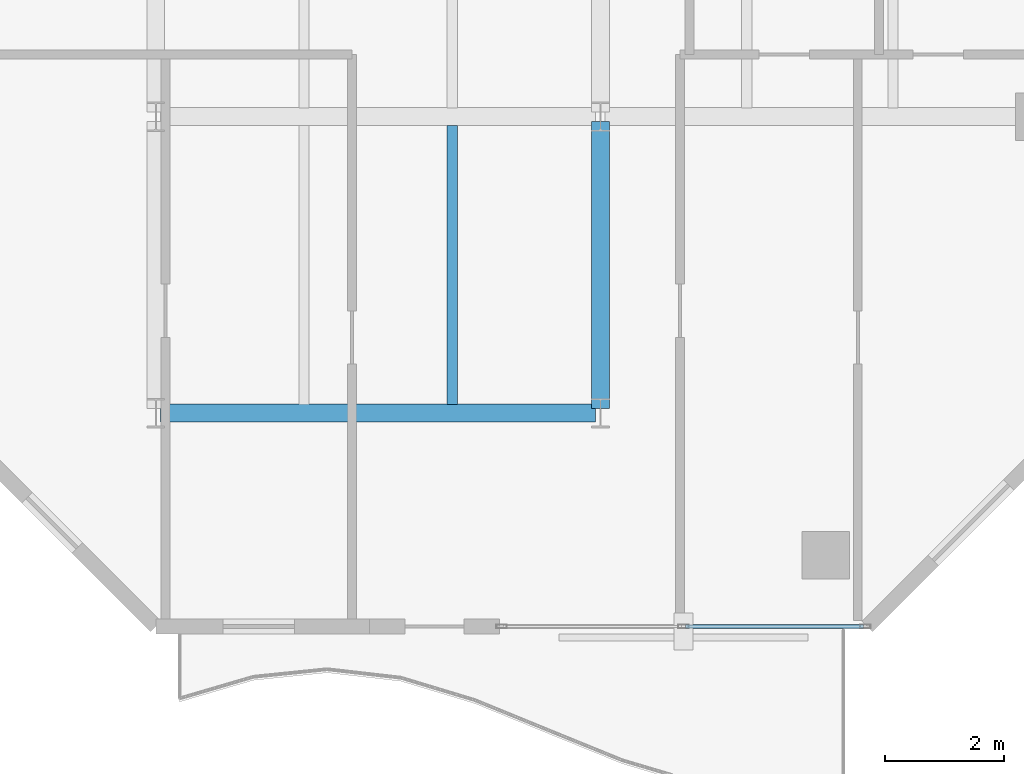
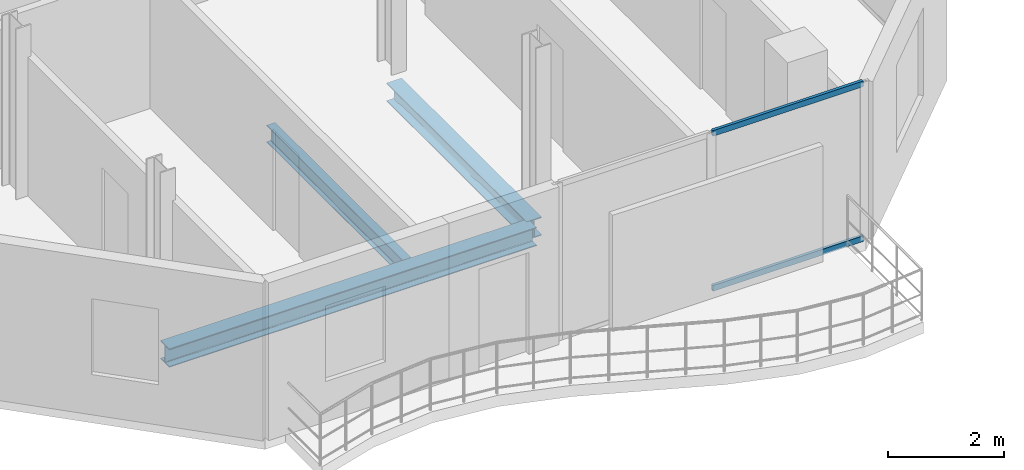
# One storey, part 4 of 23: 3 beams, 2 members, 1 element without a shape of its own.
"""IFC4 building model written with IfcOpenShell, lengths in metres."""

from ifc_helpers import new_model, si_unit, direction, frame, origin, origin_2d, place, context, subcontext, project, spatial, hollow_rectangle, i_section, extrude, material, layer, layer_set, material_profile, profile_set, type_object, element, aggregate, save


model = new_model("IFC4")

# Units and contexts
model_context = context("Model", 3, precision=1e-05, world=origin(), true_north=direction((0.0, 1.0)))
body_context = subcontext(model_context, "Body", "Model", "MODEL_VIEW")
ifc_project = project(units=[si_unit("LENGTHUNIT", "METRE"), si_unit("AREAUNIT", "SQUARE_METRE"), si_unit("VOLUMEUNIT", "CUBIC_METRE"), si_unit("PLANEANGLEUNIT", "RADIAN"), si_unit("MASSUNIT", "GRAM", prefix="KILO")], contexts=[model_context])

# Site, building, storey
site_placement = place(None, origin())
site = spatial("IfcSite", under=ifc_project, at=site_placement, CompositionType="ELEMENT")
building_placement = place(site_placement, origin())
building = spatial("IfcBuilding", under=site, at=building_placement, Name="Catumbela Crestline Tower", CompositionType="ELEMENT")
storey_placement = place(building_placement, frame((0.0, 0.0, 165.0)))
storey = spatial("IfcBuildingStorey", under=building, at=storey_placement, Name="L42", CompositionType="ELEMENT", Elevation=165.0)

# Beams
ifc_material_1 = material(Name="Structural steel S355J2", Category="steel")
ifc_material_profile_1 = material_profile(ifc_material_1, i_section(OverallWidth=0.3, OverallDepth=0.39, WebThickness=0.011, FlangeThickness=0.019, FilletRadius=0.027, at=origin_2d()), Name="HEA 400")
ifc_profile_set_1 = profile_set([ifc_material_profile_1], Name="Structural steel S355J2")
beam_type_1 = type_object("IfcBeamType", Name="BG-HEA400", PredefinedType="BEAM", material=ifc_profile_set_1)
beam_1_placement = place(storey_placement, frame((8.58, 8.6, -0.455), z_axis=(1.0, 0.0, 0.0), x_axis=(0.0, 1.0, 0.0)))
element("IfcBeam", 1, at=beam_1_placement, inside=storey, type_object=beam_type_1, Name="L42 Beam BM-L42-WEW32", PredefinedType="BEAM", context=body_context, shape_type="SweptSolid", body=[
    extrude(i_section(OverallWidth=0.3, OverallDepth=0.39, WebThickness=0.011, FlangeThickness=0.019, FilletRadius=0.027, at=origin_2d()), origin(), (0.0, 0.0, 1.0), 7.34),
])
beam_2_placement = place(storey_placement, frame((16.0, 8.68, -0.455), z_axis=(0.0, 1.0, 0.0), x_axis=(-1.0, 0.0, 0.0)))
element("IfcBeam", 2, at=beam_2_placement, inside=storey, type_object=beam_type_1, Name="L42 Beam BM-L42-WNS40", PredefinedType="BEAM", context=body_context, shape_type="SweptSolid", body=[
    extrude(i_section(OverallWidth=0.3, OverallDepth=0.39, WebThickness=0.011, FlangeThickness=0.019, FilletRadius=0.027, at=origin_2d()), origin(), (0.0, 0.0, 1.0), 4.84),
])
ifc_material_profile_2 = material_profile(ifc_material_1, i_section(OverallWidth=0.17, OverallDepth=0.36, WebThickness=0.008, FlangeThickness=0.0127, FilletRadius=0.018, at=origin_2d()), Name="IPE 360")
ifc_profile_set_2 = profile_set([ifc_material_profile_2], Name="Structural steel S355J2")
beam_type_2 = type_object("IfcBeamType", Name="BJ-IPE360", PredefinedType="JOIST", material=ifc_profile_set_2)
beam_3_placement = place(storey_placement, frame((13.5, 8.747, -0.44), z_axis=(0.0, 1.0, 0.0), x_axis=(-1.0, 0.0, 0.0)))
element("IfcBeam", 3, at=beam_3_placement, inside=storey, type_object=beam_type_2, Name="L42 Joist JS-L42-WG45", PredefinedType="JOIST", context=body_context, shape_type="SweptSolid", body=[
    extrude(i_section(OverallWidth=0.17, OverallDepth=0.36, WebThickness=0.008, FlangeThickness=0.0127, FilletRadius=0.018, at=origin_2d()), origin(), (0.0, 0.0, 1.0), 4.706),
])

# Curtain wall, members
ifc_material_2 = material(Name="Aluminium alloy AW-6060-T66", Category="aluminium")
ifc_layer = layer(ifc_material_2, 0.18, Name="Aluminium alloy AW-6060-T66")
ifc_layer_set = layer_set([ifc_layer], Name="Aluminium alloy AW-6060-T66")
curtain_wall_type = type_object("IfcCurtainWallType", Name="CWU-Z3", PredefinedType="USERDEFINED", material=ifc_layer_set)
curtain_wall_placement = place(storey_placement, origin())
curtain_wall = element("IfcCurtainWall", 4, at=curtain_wall_placement, inside=storey, type_object=curtain_wall_type, Name="L42 Unitised Curtain Wall CW-L42-E0S2", ObjectType="UNITISED", PredefinedType="USERDEFINED")
ifc_material_profile_3 = material_profile(ifc_material_2, hollow_rectangle(XDim=0.06, YDim=0.12, WallThickness=0.0035, at=origin_2d()), Name="ALU 120x60x3.5")
ifc_profile_set_3 = profile_set([ifc_material_profile_3], Name="Aluminium alloy AW-6060-T66")
member_type = type_object("IfcMemberType", Name="TRN-120X60", PredefinedType="USERDEFINED", material=ifc_profile_set_3)
member_1_placement = place(storey_placement, frame((17.4325, 5.0, 0.03), z_axis=(1.0, 0.0, 0.0), x_axis=(0.0, 1.0, 0.0)))
member_1 = element("IfcMember", 5, at=member_1_placement, type_object=member_type, Name="CWU-Z3 transom 2.1", ObjectType="TRANSOM", PredefinedType="USERDEFINED", context=body_context, shape_type="SweptSolid", body=[
    extrude(hollow_rectangle(XDim=0.06, YDim=0.12, WallThickness=0.0035, at=origin_2d()), origin(), (0.0, 0.0, 1.0), 3.0025),
])
member_2_placement = place(storey_placement, frame((17.4325, 5.0, 3.3), z_axis=(1.0, 0.0, 0.0), x_axis=(0.0, 1.0, 0.0)))
member_2 = element("IfcMember", 6, at=member_2_placement, type_object=member_type, Name="CWU-Z3 transom 2.2", ObjectType="TRANSOM", PredefinedType="USERDEFINED", context=body_context, shape_type="SweptSolid", body=[
    extrude(hollow_rectangle(XDim=0.06, YDim=0.12, WallThickness=0.0035, at=origin_2d()), origin(), (0.0, 0.0, 1.0), 3.0025),
])
aggregate(curtain_wall, [member_1, member_2])

save(model, "model.ifc")
